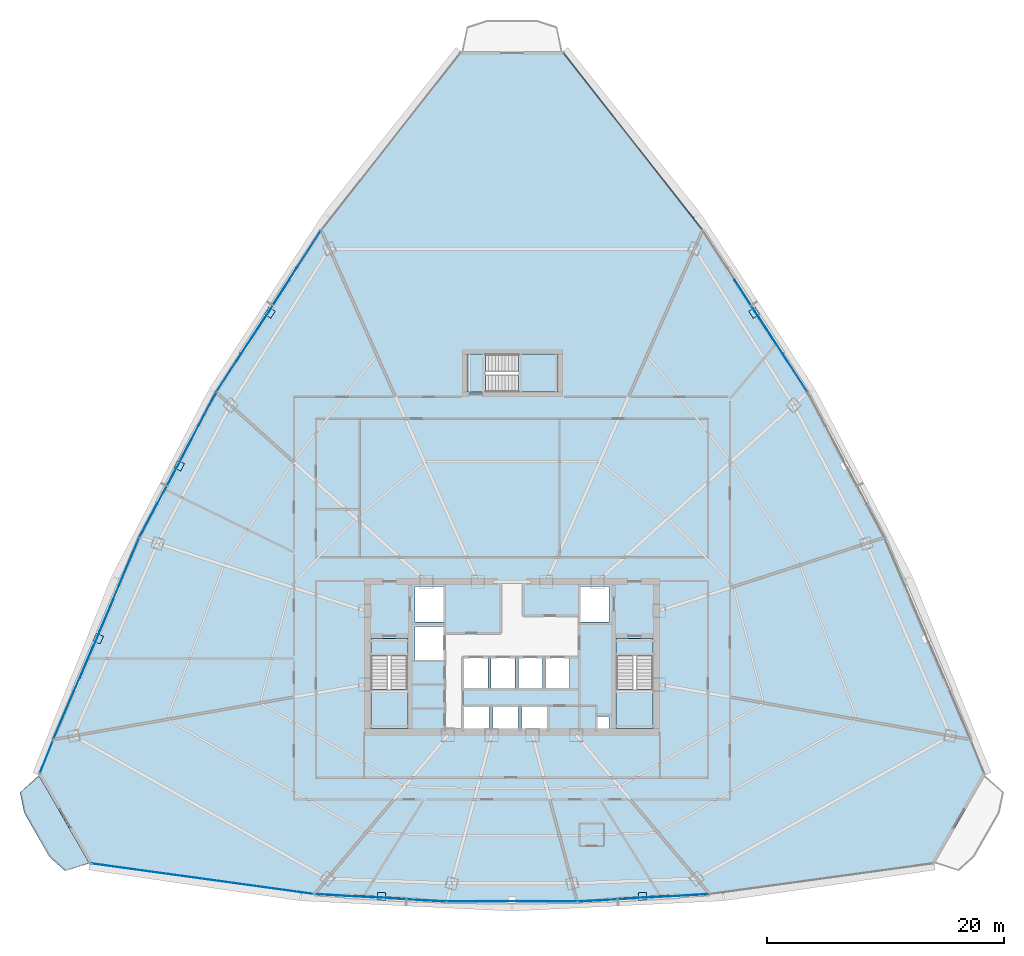
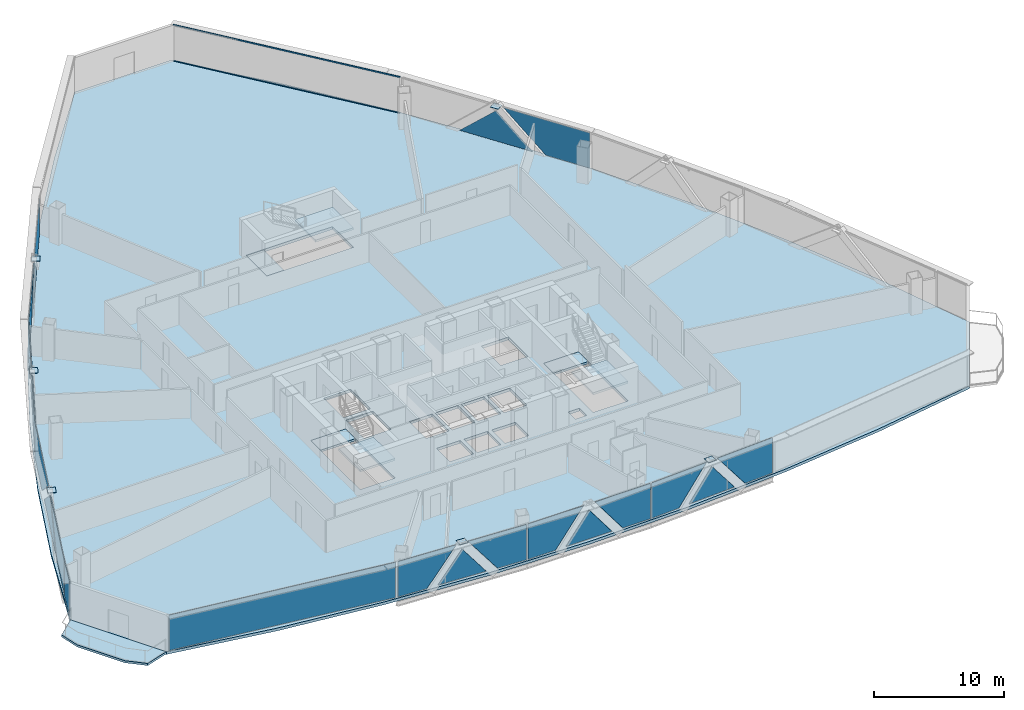
# One storey, part 30 of 39: 28 plates, 8 slabs, 2 members, 13 elements without a shape of their own.
"""IFC4 building model written with IfcOpenShell, lengths in metres."""

from ifc_helpers import new_model, si_unit, direction, frame, origin, origin_2d, place, context, subcontext, project, spatial, polyline, rectangle, hollow_rectangle, outline, extrude, source, transform, mapped, material, layer, layer_set, material_profile, profile_set, type_object, element, aggregate, save


model = new_model("IFC4")

# Units and contexts
model_context = context("Model", 3, precision=1e-05, world=origin(), true_north=direction((0.0, 1.0)))
body_context = subcontext(model_context, "Body", "Model", "MODEL_VIEW")
ifc_project = project(units=[si_unit("LENGTHUNIT", "METRE"), si_unit("AREAUNIT", "SQUARE_METRE"), si_unit("VOLUMEUNIT", "CUBIC_METRE"), si_unit("PLANEANGLEUNIT", "RADIAN"), si_unit("MASSUNIT", "GRAM", prefix="KILO"), si_unit("THERMODYNAMICTEMPERATUREUNIT", "KELVIN"), si_unit("POWERUNIT", "WATT")], contexts=[model_context])

# Site, building, storey
site_placement = place(None, origin())
site = spatial("IfcSite", under=ifc_project, at=site_placement, CompositionType="ELEMENT")
building_placement = place(site_placement, origin())
building = spatial("IfcBuilding", under=site, at=building_placement, Name="Yunzhuo Pagoda Commons", CompositionType="ELEMENT")
storey_placement = place(building_placement, frame((0.0, 0.0, 148.22998046875)))
storey = spatial("IfcBuildingStorey", under=building, at=storey_placement, Name="L37", CompositionType="ELEMENT", Elevation=148.22998046875)

# Curtain wall, members
ifc_material_1 = material(Name="Anodized aluminium 6063-T6", Category="aluminium")
ifc_layer_1 = layer(ifc_material_1, 0.14990234375)
ifc_layer_set_1 = layer_set([ifc_layer_1], Name="Anodized aluminium 6063-T6")
curtain_wall_type = type_object("IfcCurtainWallType", Name="CW-MID Mid-Zone Ribbon Curtain Wall", PredefinedType="NOTDEFINED", material=ifc_layer_set_1)
curtain_wall_1_placement = place(storey_placement, origin())
curtain_wall_1 = element("IfcCurtainWall", 1, at=curtain_wall_1_placement, inside=storey, type_object=curtain_wall_type, Name="L37 curtain wall CW-L37-F2B5", PredefinedType="NOTDEFINED")
ifc_material_profile = material_profile(ifc_material_1, hollow_rectangle(XDim=0.054931640625, YDim=0.1298828125, WallThickness=0.00341796875, at=origin_2d()), Name="Anodized aluminium 6063-T6")
ifc_profile_set = profile_set([ifc_material_profile], Name="Anodized aluminium 6063-T6")
member_type = type_object("IfcMemberType", Name="CW-MID-T Transom RHS 130x55x3.5", PredefinedType="USERDEFINED", material=ifc_profile_set)
shared_shape_1 = source(origin(), body_context, "Body", "SweptSolid", [
    extrude(hollow_rectangle(XDim=0.054931640625, YDim=0.1298828125, WallThickness=0.00341796875, at=origin_2d()), origin(), (0.0, 0.0, 1.0), 18.82861328125),
])
member_1_placement = place(storey_placement, frame((64.017578125, 69.96923828125, 0.027587890625), z_axis=(-0.617384524017, 0.786661521561, 0.0), x_axis=(-0.786661521561, -0.617384524017, 0.0)))
member_1 = element("IfcMember", 2, at=member_1_placement, type_object=member_type, Name="CW transom 1.1", ObjectType="TRANSOM", PredefinedType="USERDEFINED", context=body_context, shape_type="MappedRepresentation", body=[
    mapped(shared_shape_1, transform((0.0, 0.0, 0.0), scale=1.0)),
])
member_2_placement = place(storey_placement, frame((64.017578125, 69.96923828125, 3.392578125), z_axis=(-0.617384524017, 0.786661521561, 0.0), x_axis=(-0.786661521561, -0.617384524017, 0.0)))
member_2 = element("IfcMember", 3, at=member_2_placement, type_object=member_type, Name="CW transom 1.2", ObjectType="TRANSOM", PredefinedType="USERDEFINED", context=body_context, shape_type="MappedRepresentation", body=[
    mapped(shared_shape_1, transform((0.0, 0.0, 0.0), scale=1.0)),
])
aggregate(curtain_wall_1, [member_1, member_2])

# Curtain wall, plates
curtain_wall_2_placement = place(storey_placement, origin())
curtain_wall_2 = element("IfcCurtainWall", 4, at=curtain_wall_2_placement, inside=storey, type_object=curtain_wall_type, Name="L37 curtain wall CW-L37-F1B2", PredefinedType="NOTDEFINED")
ifc_material_2 = material(Name="Tempered low-e double glazing", Category="glass")
ifc_layer_2 = layer(ifc_material_2, 0.028076171875)
ifc_layer_set_2 = layer_set([ifc_layer_2], Name="Tempered low-e double glazing")
plate_type_1 = type_object("IfcPlateType", Name="CW-MID-P Low-E Double Glazing 28", PredefinedType="CURTAIN_PANEL", material=ifc_layer_set_2)
plate_1_placement = place(storey_placement, frame((33.882568359375, 13.683349609375, 1.7099609375), z_axis=(-0.056597401536, -0.998397082397, 0.0), x_axis=(0.998397082397, -0.056597401536, 0.0)))
plate_1 = element("IfcPlate", 5, at=plate_1_placement, type_object=plate_type_1, Name="CW panel 1.1 lite 1", PredefinedType="CURTAIN_PANEL", context=body_context, shape_type="SweptSolid", body=[
    extrude(outline(polyline([(-2.51171875, -1.655029296875), (-0.008056640625, -1.655029296875), (2.51171875, 1.655029296875), (-2.51171875, 1.655029296875), (-2.51171875, -1.655029296875)])), origin(), (0.0, 0.0, 1.0), 0.028076171875),
])
plate_2_placement = place(storey_placement, frame((36.91064453125, 13.541748046875, 1.423828125), z_axis=(-0.056597401536, -0.998397082397, 0.0), x_axis=(0.998397082397, -0.056597401536, 0.0)))
plate_2 = element("IfcPlate", 6, at=plate_2_placement, type_object=plate_type_1, Name="CW panel 1.1 lite 2", PredefinedType="CURTAIN_PANEL", context=body_context, shape_type="SweptSolid", body=[
    extrude(outline(polyline([(-2.083984375, -1.368896484375), (2.083984375, -1.368896484375), (0.0, 1.368896484375), (-2.083984375, -1.368896484375)])), origin(), (0.0, 0.0, 1.0), 0.028076171875),
])
plate_3_placement = place(storey_placement, frame((39.93505859375, 13.34033203125, 1.7099609375), z_axis=(-0.056597401536, -0.998397082397, 0.0), x_axis=(0.998397082397, -0.056597401536, 0.0)))
plate_3 = element("IfcPlate", 7, at=plate_3_placement, type_object=plate_type_1, Name="CW panel 1.1 lite 3", PredefinedType="CURTAIN_PANEL", context=body_context, shape_type="SweptSolid", body=[
    extrude(outline(polyline([(-2.51171875, 1.655029296875), (0.008056640625, -1.655029296875), (2.51171875, -1.655029296875), (2.51171875, 1.655029296875), (-2.51171875, 1.655029296875)])), origin(), (0.0, 0.0, 1.0), 0.028076171875),
])
aggregate(curtain_wall_2, [plate_1, plate_2, plate_3])

curtain_wall_3_placement = place(storey_placement, origin())
curtain_wall_3 = element("IfcCurtainWall", 8, at=curtain_wall_3_placement, inside=storey, type_object=curtain_wall_type, Name="L37 curtain wall CW-L37-F1B3", PredefinedType="NOTDEFINED")
plate_4_placement = place(storey_placement, frame((45.023193359375, 13.19482421875, 1.7099609375), z_axis=(0.0, -1.0, 0.0), x_axis=(1.0, 0.0, 0.0)))
plate_4 = element("IfcPlate", 9, at=plate_4_placement, type_object=plate_type_1, Name="CW panel 1.1 lite 1", PredefinedType="CURTAIN_PANEL", context=body_context, shape_type="SweptSolid", body=[
    extrude(outline(polyline([(-2.46142578125, -1.655029296875), (-0.01123046875, -1.655029296875), (2.461181640625, 1.655029296875), (-2.46142578125, 1.655029296875), (-2.46142578125, -1.655029296875)])), origin(), (0.0, 0.0, 1.0), 0.028076171875),
])
plate_5_placement = place(storey_placement, frame((48.0, 13.224609375, 1.419921875), z_axis=(0.0, -1.0, 0.0), x_axis=(1.0, 0.0, 0.0)))
plate_5 = element("IfcPlate", 10, at=plate_5_placement, type_object=plate_type_1, Name="CW panel 1.1 lite 2", PredefinedType="CURTAIN_PANEL", context=body_context, shape_type="SweptSolid", body=[
    extrude(outline(polyline([(-2.039306640625, -1.364990234375), (2.039306640625, -1.364990234375), (0.0, 1.364990234375), (-2.039306640625, -1.364990234375)])), origin(), (0.0, 0.0, 1.0), 0.028076171875),
])
plate_6_placement = place(storey_placement, frame((50.976806640625, 13.19482421875, 1.7099609375), z_axis=(0.0, -1.0, 0.0), x_axis=(1.0, 0.0, 0.0)))
plate_6 = element("IfcPlate", 11, at=plate_6_placement, type_object=plate_type_1, Name="CW panel 1.1 lite 3", PredefinedType="CURTAIN_PANEL", context=body_context, shape_type="SweptSolid", body=[
    extrude(outline(polyline([(-2.461181640625, 1.655029296875), (0.01123046875, -1.655029296875), (2.46142578125, -1.655029296875), (2.46142578125, 1.655029296875), (-2.461181640625, 1.655029296875)])), origin(), (0.0, 0.0, 1.0), 0.028076171875),
])
aggregate(curtain_wall_3, [plate_4, plate_5, plate_6])

curtain_wall_4_placement = place(storey_placement, origin())
curtain_wall_4 = element("IfcCurtainWall", 12, at=curtain_wall_4_placement, inside=storey, type_object=curtain_wall_type, Name="L37 curtain wall CW-L37-F1B4", PredefinedType="NOTDEFINED")
plate_7_placement = place(storey_placement, frame((56.06494140625, 13.340087890625, 1.7099609375), z_axis=(0.056597401536, -0.998397082397, 0.0), x_axis=(0.998397082397, 0.056597401536, 0.0)))
plate_7 = element("IfcPlate", 13, at=plate_7_placement, type_object=plate_type_1, Name="CW panel 1.1 lite 1", PredefinedType="CURTAIN_PANEL", context=body_context, shape_type="SweptSolid", body=[
    extrude(outline(polyline([(-2.51171875, -1.655029296875), (-0.008056640625, -1.655029296875), (2.51171875, 1.655029296875), (-2.51171875, 1.655029296875), (-2.51171875, -1.655029296875)])), origin(), (0.0, 0.0, 1.0), 0.028076171875),
])
plate_8_placement = place(storey_placement, frame((59.08935546875, 13.541748046875, 1.423828125), z_axis=(0.056597401536, -0.998397082397, 0.0), x_axis=(0.998397082397, 0.056597401536, 0.0)))
plate_8 = element("IfcPlate", 14, at=plate_8_placement, type_object=plate_type_1, Name="CW panel 1.1 lite 2", PredefinedType="CURTAIN_PANEL", context=body_context, shape_type="SweptSolid", body=[
    extrude(outline(polyline([(-2.083984375, -1.368896484375), (2.083984375, -1.368896484375), (0.0, 1.368896484375), (-2.083984375, -1.368896484375)])), origin(), (0.0, 0.0, 1.0), 0.028076171875),
])
plate_9_placement = place(storey_placement, frame((62.1171875, 13.68310546875, 1.7099609375), z_axis=(0.056597401536, -0.998397082397, 0.0), x_axis=(0.998397082397, 0.056597401536, 0.0)))
plate_9 = element("IfcPlate", 15, at=plate_9_placement, type_object=plate_type_1, Name="CW panel 1.1 lite 3", PredefinedType="CURTAIN_PANEL", context=body_context, shape_type="SweptSolid", body=[
    extrude(outline(polyline([(-2.51171875, 1.655029296875), (0.008056640625, -1.655029296875), (2.51171875, -1.655029296875), (2.51171875, 1.655029296875), (-2.51171875, 1.655029296875)])), origin(), (0.0, 0.0, 1.0), 0.028076171875),
])
aggregate(curtain_wall_4, [plate_7, plate_8, plate_9])

curtain_wall_5_placement = place(storey_placement, origin())
curtain_wall_5 = element("IfcCurtainWall", 16, at=curtain_wall_5_placement, inside=storey, type_object=curtain_wall_type, Name="L37 curtain wall CW-L37-F2B4", PredefinedType="NOTDEFINED")
plate_10_placement = place(storey_placement, frame((70.891357421875, 59.353515625, 1.7099609375), z_axis=(0.839320281383, 0.543637255216, 0.0), x_axis=(-0.543637255216, 0.839320281383, 0.0)))
plate_10 = element("IfcPlate", 17, at=plate_10_placement, type_object=plate_type_1, Name="CW panel 1.1 lite 1", PredefinedType="CURTAIN_PANEL", context=body_context, shape_type="SweptSolid", body=[
    extrude(outline(polyline([(-3.732177734375, -1.655029296875), (0.06591796875, -1.655029296875), (3.732177734375, 1.655029296875), (-3.732177734375, 1.655029296875), (-3.732177734375, -1.655029296875)])), origin(), (0.0, 0.0, 1.0), 0.028076171875),
])
plate_11_placement = place(storey_placement, frame((68.495849609375, 62.996826171875, 1.4814453125), z_axis=(0.839320281383, 0.543637255216, 0.0), x_axis=(-0.543637255216, 0.839320281383, 0.0)))
plate_11 = element("IfcPlate", 18, at=plate_11_placement, type_object=plate_type_1, Name="CW panel 1.1 lite 2", PredefinedType="CURTAIN_PANEL", context=body_context, shape_type="SweptSolid", body=[
    extrude(outline(polyline([(-3.16015625, -1.426513671875), (3.16015625, -1.426513671875), (0.0, 1.426513671875), (-3.16015625, -1.426513671875)])), origin(), (0.0, 0.0, 1.0), 0.028076171875),
])
aggregate(curtain_wall_5, [plate_10, plate_11])

curtain_wall_6_placement = place(storey_placement, origin())
curtain_wall_6 = element("IfcCurtainWall", 19, at=curtain_wall_6_placement, inside=storey, type_object=curtain_wall_type, Name="L37 curtain wall CW-L37-F3B2", PredefinedType="NOTDEFINED")
plate_12_placement = place(storey_placement, frame((29.84912109375, 66.6728515625, 1.7099609375), z_axis=(-0.839320281383, 0.543637255216, 0.0), x_axis=(-0.543637255216, -0.839320281383, 0.0)))
plate_12 = element("IfcPlate", 20, at=plate_12_placement, type_object=plate_type_1, Name="CW panel 1.1 lite 1", PredefinedType="CURTAIN_PANEL", context=body_context, shape_type="SweptSolid", body=[
    extrude(outline(polyline([(-3.732177734375, -1.655029296875), (0.06591796875, -1.655029296875), (3.732177734375, 1.655029296875), (-3.732177734375, 1.655029296875), (-3.732177734375, -1.655029296875)])), origin(), (0.0, 0.0, 1.0), 0.028076171875),
])
plate_13_placement = place(storey_placement, frame((27.504150390625, 62.996826171875, 1.4814453125), z_axis=(-0.839320281383, 0.543637255216, 0.0), x_axis=(-0.543637255216, -0.839320281383, 0.0)))
plate_13 = element("IfcPlate", 21, at=plate_13_placement, type_object=plate_type_1, Name="CW panel 1.1 lite 2", PredefinedType="CURTAIN_PANEL", context=body_context, shape_type="SweptSolid", body=[
    extrude(outline(polyline([(-3.16015625, -1.426513671875), (3.16015625, -1.426513671875), (0.0, 1.426513671875), (-3.16015625, -1.426513671875)])), origin(), (0.0, 0.0, 1.0), 0.028076171875),
])
plate_14_placement = place(storey_placement, frame((25.108642578125, 59.353515625, 1.7099609375), z_axis=(-0.839320281383, 0.543637255216, 0.0), x_axis=(-0.543637255216, -0.839320281383, 0.0)))
plate_14 = element("IfcPlate", 22, at=plate_14_placement, type_object=plate_type_1, Name="CW panel 1.1 lite 3", PredefinedType="CURTAIN_PANEL", context=body_context, shape_type="SweptSolid", body=[
    extrude(outline(polyline([(-3.732177734375, 1.655029296875), (-0.06591796875, -1.655029296875), (3.732177734375, -1.655029296875), (3.732177734375, 1.655029296875), (-3.732177734375, 1.655029296875)])), origin(), (0.0, 0.0, 1.0), 0.028076171875),
])
aggregate(curtain_wall_6, [plate_12, plate_13, plate_14])

curtain_wall_7_placement = place(storey_placement, origin())
curtain_wall_7 = element("IfcCurtainWall", 23, at=curtain_wall_7_placement, inside=storey, type_object=curtain_wall_type, Name="L37 curtain wall CW-L37-F3B3", PredefinedType="NOTDEFINED")
plate_15_placement = place(storey_placement, frame((21.546142578125, 53.334228515625, 1.7099609375), z_axis=(-0.883879096849, 0.467715449984, 0.0), x_axis=(-0.467715449984, -0.883879096849, 0.0)))
plate_15 = element("IfcPlate", 24, at=plate_15_placement, type_object=plate_type_1, Name="CW panel 1.1 lite 1", PredefinedType="CURTAIN_PANEL", context=body_context, shape_type="SweptSolid", body=[
    extrude(outline(polyline([(-3.150390625, -1.655029296875), (0.031494140625, -1.655029296875), (3.150390625, 1.655029296875), (-3.150390625, 1.655029296875), (-3.150390625, -1.655029296875)])), origin(), (0.0, 0.0, 1.0), 0.028076171875),
])
plate_16_placement = place(storey_placement, frame((19.830810546875, 50.0283203125, 1.46044921875), z_axis=(-0.883879096849, 0.467715449984, 0.0), x_axis=(-0.467715449984, -0.883879096849, 0.0)))
plate_16 = element("IfcPlate", 25, at=plate_16_placement, type_object=plate_type_1, Name="CW panel 1.1 lite 2", PredefinedType="CURTAIN_PANEL", context=body_context, shape_type="SweptSolid", body=[
    extrude(outline(polyline([(-2.6484375, -1.405517578125), (2.6484375, -1.405517578125), (0.0, 1.405517578125), (-2.6484375, -1.405517578125)])), origin(), (0.0, 0.0, 1.0), 0.028076171875),
])
plate_17_placement = place(storey_placement, frame((18.062255859375, 46.750244140625, 1.7099609375), z_axis=(-0.883879096849, 0.467715449984, 0.0), x_axis=(-0.467715449984, -0.883879096849, 0.0)))
plate_17 = element("IfcPlate", 26, at=plate_17_placement, type_object=plate_type_1, Name="CW panel 1.1 lite 3", PredefinedType="CURTAIN_PANEL", context=body_context, shape_type="SweptSolid", body=[
    extrude(outline(polyline([(-3.150390625, 1.655029296875), (-0.031494140625, -1.655029296875), (3.150390625, -1.655029296875), (3.150390625, 1.655029296875), (-3.150390625, 1.655029296875)])), origin(), (0.0, 0.0, 1.0), 0.028076171875),
])
aggregate(curtain_wall_7, [plate_15, plate_16, plate_17])

curtain_wall_8_placement = place(storey_placement, origin())
curtain_wall_8 = element("IfcCurtainWall", 27, at=curtain_wall_8_placement, inside=storey, type_object=curtain_wall_type, Name="L37 curtain wall CW-L37-F3B4", PredefinedType="NOTDEFINED")
plate_18_placement = place(storey_placement, frame((14.868408203125, 39.937744140625, 1.7099609375), z_axis=(-0.920072228059, 0.391748765351, 0.0), x_axis=(-0.391748765351, -0.920072228059, 0.0)))
plate_18 = element("IfcPlate", 28, at=plate_18_placement, type_object=plate_type_1, Name="CW panel 1.1 lite 1", PredefinedType="CURTAIN_PANEL", context=body_context, shape_type="SweptSolid", body=[
    extrude(outline(polyline([(-4.26123046875, -1.655029296875), (0.095703125, -1.655029296875), (4.26123046875, 1.655029296875), (-4.26123046875, 1.655029296875), (-4.26123046875, -1.655029296875)])), origin(), (0.0, 0.0, 1.0), 0.028076171875),
])
plate_19_placement = place(storey_placement, frame((12.960205078125, 35.379638671875, 1.494873046875), z_axis=(-0.920072228059, 0.391748765351, 0.0), x_axis=(-0.391748765351, -0.920072228059, 0.0)))
plate_19 = element("IfcPlate", 29, at=plate_19_placement, type_object=plate_type_1, Name="CW panel 1.1 lite 2", PredefinedType="CURTAIN_PANEL", context=body_context, shape_type="SweptSolid", body=[
    extrude(outline(polyline([(-3.6240234375, -1.439697265625), (3.6240234375, -1.439697265625), (0.0, 1.439697265625), (-3.6240234375, -1.439697265625)])), origin(), (0.0, 0.0, 1.0), 0.028076171875),
])
plate_20_placement = place(storey_placement, frame((10.996826171875, 30.844970703125, 1.7099609375), z_axis=(-0.920072228059, 0.391748765351, 0.0), x_axis=(-0.391748765351, -0.920072228059, 0.0)))
plate_20 = element("IfcPlate", 30, at=plate_20_placement, type_object=plate_type_1, Name="CW panel 1.1 lite 3", PredefinedType="CURTAIN_PANEL", context=body_context, shape_type="SweptSolid", body=[
    extrude(outline(polyline([(-4.261474609375, 1.655029296875), (-0.095703125, -1.655029296875), (4.261474609375, -1.655029296875), (4.261474609375, 1.655029296875), (-4.261474609375, 1.655029296875)])), origin(), (0.0, 0.0, 1.0), 0.028076171875),
])
aggregate(curtain_wall_8, [plate_18, plate_19, plate_20])

# Slab
ifc_material_3 = material(Name="Concrete C40", Category="concrete")
ifc_layer_3 = layer(ifc_material_3, 0.199951171875)
ifc_layer_set_3 = layer_set([ifc_layer_3], Name="Concrete C40")
slab_type_1 = type_object("IfcSlabType", Name="SL-BAL Vertex Balcony Deck Slab 200", PredefinedType="FLOOR", material=ifc_layer_set_3)
slab_1_placement = place(storey_placement, frame((0.0, 0.0, -0.199951171875)))
element("IfcSlab", 31, at=slab_1_placement, inside=storey, type_object=slab_type_1, Name="L37 corner balcony V1", PredefinedType="FLOOR", context=body_context, shape_type="SweptSolid", body=[
    extrude(outline(polyline([(8.0595703125, 23.840576171875), (12.320556640625, 16.419189453125), (10.279541015625, 15.766357421875), (8.96142578125, 16.95751953125), (6.830810546875, 20.668212890625), (6.466796875, 22.406982421875), (8.0595703125, 23.840576171875)])), origin(), (0.0, 0.0, 1.0), 0.199951171875),
])

# Stair, slabs
stair_type_1 = type_object("IfcStairType", Name="ST-C1 Core Smokeproof Stair ST1", PredefinedType="HALF_TURN_STAIR", material=ifc_material_3)
stair_1_placement = place(storey_placement, origin())
stair_1 = element("IfcStair", 32, at=stair_1_placement, inside=storey, type_object=stair_type_1, Name="L37 Core smokeproof stair ST1", PredefinedType="HALF_TURN_STAIR")
ifc_layer_4 = layer(ifc_material_3, 0.199951171875)
ifc_layer_set_4 = layer_set([ifc_layer_4], Name="Concrete C40")
slab_type_2 = type_object("IfcSlabType", Name="SL-LND1 Stair Landing Slab 200", PredefinedType="LANDING", material=ifc_layer_set_4)
slab_2_placement = place(storey_placement, frame((0.0, 0.0, 1.64013671875)))
slab_2 = element("IfcSlab", 33, at=slab_2_placement, type_object=slab_type_2, Name="ST1 landing 1", PredefinedType="LANDING", context=body_context, shape_type="SweptSolid", body=[
    extrude(outline(polyline([(36.10009765625, 31.10009765625), (36.10009765625, 27.800048828125), (39.199951171875, 27.800048828125), (39.199951171875, 31.10009765625), (36.10009765625, 31.10009765625)])), origin(), (0.0, 0.0, 1.0), 0.199951171875),
])
slab_3_placement = place(storey_placement, frame((0.0, 0.0, -0.199951171875)))
slab_3 = element("IfcSlab", 34, at=slab_3_placement, type_object=slab_type_2, Name="ST1 floor landing L37", PredefinedType="LANDING", context=body_context, shape_type="SweptSolid", body=[
    extrude(outline(polyline([(36.10009765625, 35.39990234375), (36.10009765625, 33.89990234375), (39.199951171875, 33.89990234375), (39.199951171875, 35.39990234375), (36.10009765625, 35.39990234375)])), origin(), (0.0, 0.0, 1.0), 0.199951171875),
])
aggregate(stair_1, [slab_2, slab_3])

stair_type_2 = type_object("IfcStairType", Name="ST-C2 Core Smokeproof Stair ST2", PredefinedType="HALF_TURN_STAIR", material=ifc_material_3)
stair_2_placement = place(storey_placement, origin())
stair_2 = element("IfcStair", 35, at=stair_2_placement, inside=storey, type_object=stair_type_2, Name="L37 Core smokeproof stair ST2", PredefinedType="HALF_TURN_STAIR")
ifc_layer_5 = layer(ifc_material_3, 0.201904296875)
ifc_layer_set_5 = layer_set([ifc_layer_5], Name="Concrete C40")
slab_type_3 = type_object("IfcSlabType", Name="SL-LND2 Stair Landing Slab 202", PredefinedType="LANDING", material=ifc_layer_set_5)
slab_4_placement = place(storey_placement, frame((0.0, 0.0, 1.64013671875)))
slab_4 = element("IfcSlab", 36, at=slab_4_placement, type_object=slab_type_3, Name="ST2 landing 1", PredefinedType="LANDING", context=body_context, shape_type="SweptSolid", body=[
    extrude(outline(polyline([(56.800048828125, 31.10009765625), (56.800048828125, 27.800048828125), (59.89990234375, 27.800048828125), (59.89990234375, 31.10009765625), (56.800048828125, 31.10009765625)])), origin(), (0.0, 0.0, 1.0), 0.199951171875),
])
slab_5_placement = place(storey_placement, frame((0.0, 0.0, -0.199951171875)))
slab_5 = element("IfcSlab", 37, at=slab_5_placement, type_object=slab_type_3, Name="ST2 floor landing L37", PredefinedType="LANDING", context=body_context, shape_type="SweptSolid", body=[
    extrude(outline(polyline([(56.800048828125, 35.39990234375), (56.800048828125, 33.89990234375), (59.89990234375, 33.89990234375), (59.89990234375, 35.39990234375), (56.800048828125, 35.39990234375)])), origin(), (0.0, 0.0, 1.0), 0.199951171875),
])
aggregate(stair_2, [slab_4, slab_5])

stair_type_3 = type_object("IfcStairType", Name="ST-C3 North Tower Smokeproof Stair ST3", PredefinedType="HALF_TURN_STAIR", material=ifc_material_3)
stair_3_placement = place(storey_placement, origin())
stair_3 = element("IfcStair", 38, at=stair_3_placement, inside=storey, type_object=stair_type_3, Name="L37 North tower smokeproof stair ST3", PredefinedType="HALF_TURN_STAIR")
ifc_layer_6 = layer(ifc_material_3, 0.2041015625)
ifc_layer_set_6 = layer_set([ifc_layer_6], Name="Concrete C40")
slab_type_4 = type_object("IfcSlabType", Name="SL-LND5 North Landing Slab 204", PredefinedType="LANDING", material=ifc_layer_set_6)
slab_6_placement = place(storey_placement, frame((0.0, 0.0, 1.64013671875)))
slab_6 = element("IfcSlab", 39, at=slab_6_placement, type_object=slab_type_4, Name="ST3 landing 1", PredefinedType="LANDING", context=body_context, shape_type="SweptSolid", body=[
    extrude(outline(polyline([(48.550048828125, 56.199951171875), (51.89990234375, 56.199951171875), (51.89990234375, 59.39990234375), (48.550048828125, 59.39990234375), (48.550048828125, 56.199951171875)])), origin(), (0.0, 0.0, 1.0), 0.199951171875),
])
slab_7_placement = place(storey_placement, frame((0.0, 0.0, -0.199951171875)))
slab_7 = element("IfcSlab", 40, at=slab_7_placement, type_object=slab_type_4, Name="ST3 floor landing L37", PredefinedType="LANDING", context=body_context, shape_type="SweptSolid", body=[
    extrude(outline(polyline([(44.199951171875, 56.199951171875), (45.75, 56.199951171875), (45.75, 59.39990234375), (44.199951171875, 59.39990234375), (44.199951171875, 56.199951171875)])), origin(), (0.0, 0.0, 1.0), 0.199951171875),
])
aggregate(stair_3, [slab_6, slab_7])

# Slab
ifc_layer_7 = layer(ifc_material_3, 0.260009765625)
ifc_layer_set_7 = layer_set([ifc_layer_7], Name="Concrete C40")
slab_type_5 = type_object("IfcSlabType", Name="SL-TWR Typical Tower Floor Slab 260", PredefinedType="FLOOR", material=ifc_layer_set_7)
slab_8_placement = place(storey_placement, frame((0.0, 0.0, -0.260009765625)))
element("IfcSlab", 41, at=slab_8_placement, inside=storey, type_object=slab_type_5, Name="L37 structural floor slab", PredefinedType="FLOOR", context=body_context, shape_type="SweptSolid", body=[
    extrude(outline(polyline([(11.211181640625, 32.248291015625), (14.733642578125, 40.4345703125), (18.630859375, 48.402099609375), (22.90283203125, 56.15087890625), (27.549560546875, 63.680908203125), (32.5712890625, 70.9921875), (37.9677734375, 78.084716796875), (43.739013671875, 84.958251953125), (52.260986328125, 84.958251953125), (58.0322265625, 78.084716796875), (63.4287109375, 70.9921875), (68.450439453125, 63.680908203125), (73.09716796875, 56.15087890625), (77.369140625, 48.402099609375), (81.266357421875, 40.4345703125), (84.788818359375, 32.248291015625), (87.936279296875, 23.843017578125), (83.67529296875, 16.421630859375), (74.75634765625, 14.902587890625), (65.837646484375, 13.817626953125), (56.918701171875, 13.166748046875), (48.0, 12.94970703125), (39.081298828125, 13.166748046875), (30.162353515625, 13.817626953125), (21.24365234375, 14.902587890625), (12.32470703125, 16.421630859375), (8.063720703125, 23.843017578125), (11.211181640625, 32.248291015625)]), holes=[polyline([(46.050048828125, 29.64990234375), (43.949951171875, 29.64990234375), (43.949951171875, 27.60009765625), (46.050048828125, 27.60009765625), (46.050048828125, 29.64990234375)]), polyline([(48.5, 27.60009765625), (48.5, 29.64990234375), (46.39990234375, 29.64990234375), (46.39990234375, 27.60009765625), (48.5, 27.60009765625)]), polyline([(36.10009765625, 27.800048828125), (39.199951171875, 27.800048828125), (39.199951171875, 35.39990234375), (36.10009765625, 35.39990234375), (36.10009765625, 27.800048828125)]), polyline([(45.969970703125, 31.199951171875), (45.969970703125, 33.800048828125), (43.929931640625, 33.800048828125), (43.929931640625, 31.199951171875), (45.969970703125, 31.199951171875)]), polyline([(48.27001953125, 31.199951171875), (48.27001953125, 33.800048828125), (46.22998046875, 33.800048828125), (46.22998046875, 31.199951171875), (48.27001953125, 31.199951171875)]), polyline([(42.199951171875, 33.60009765625), (42.199951171875, 36.39990234375), (39.800048828125, 36.39990234375), (39.800048828125, 33.60009765625), (42.199951171875, 33.60009765625)]), polyline([(42.199951171875, 36.800048828125), (42.199951171875, 39.800048828125), (39.800048828125, 39.800048828125), (39.800048828125, 36.800048828125), (42.199951171875, 36.800048828125)]), polyline([(56.179931640625, 28.800048828125), (55.179931640625, 28.800048828125), (55.179931640625, 27.699951171875), (56.179931640625, 27.699951171875), (56.179931640625, 28.800048828125)]), polyline([(50.949951171875, 27.60009765625), (50.949951171875, 29.64990234375), (48.85009765625, 29.64990234375), (48.85009765625, 27.60009765625), (50.949951171875, 27.60009765625)]), polyline([(56.800048828125, 27.800048828125), (59.89990234375, 27.800048828125), (59.89990234375, 35.39990234375), (56.800048828125, 35.39990234375), (56.800048828125, 27.800048828125)]), polyline([(50.570068359375, 31.199951171875), (50.570068359375, 33.800048828125), (48.530029296875, 33.800048828125), (48.530029296875, 31.199951171875), (50.570068359375, 31.199951171875)]), polyline([(52.8701171875, 31.199951171875), (52.8701171875, 33.800048828125), (50.830078125, 33.800048828125), (50.830078125, 31.199951171875), (52.8701171875, 31.199951171875)]), polyline([(56.199951171875, 36.800048828125), (56.199951171875, 39.800048828125), (53.800048828125, 39.800048828125), (53.800048828125, 36.800048828125), (56.199951171875, 36.800048828125)]), polyline([(51.89990234375, 56.199951171875), (51.89990234375, 59.39990234375), (44.199951171875, 59.39990234375), (44.199951171875, 56.199951171875), (51.89990234375, 56.199951171875)])]), origin(), (0.0, 0.0, 1.0), 0.260009765625),
])

# Plates
ifc_material_4 = material(Name="Structural steel Q355B", Category="steel")
ifc_layer_8 = layer(ifc_material_4, 0.028076171875)
ifc_layer_set_8 = layer_set([ifc_layer_8], Name="Structural steel Q355B")
plate_type_2 = type_object("IfcPlateType", Name="SP-ND1 Lattice Node Cap Plate 800x500x28", PredefinedType="USERDEFINED", material=ifc_layer_set_8)
shared_shape_2 = source(origin(), body_context, "Body", "SweptSolid", [
    extrude(rectangle(XDim=0.699951171875, YDim=0.654296875, at=origin_2d()), origin(), (0.0, 0.0, 1.0), 0.035888671875),
])
plate_21_placement = place(storey_placement, frame((13.071533203125, 35.39013671875, 3.3818359375), z_axis=(0.0, 0.0, 1.0), x_axis=(-0.391743040033, -0.920074665767, 0.0)))
element("IfcPlate", 42, at=plate_21_placement, inside=storey, type_object=plate_type_2, Name="L37 setback lattice tie plate F3.3L", ObjectType="STIFFENER_PLATE", PredefinedType="USERDEFINED", context=body_context, shape_type="MappedRepresentation", body=[
    mapped(shared_shape_2, transform((0.0, 0.0, 0.0), scale=1.0)),
])
shared_shape_3 = source(origin(), body_context, "Body", "SweptSolid", [
    extrude(rectangle(XDim=0.699951171875, YDim=0.6259765625, at=origin_2d()), origin(), (0.0, 0.0, 1.0), 0.035888671875),
])
plate_22_placement = place(storey_placement, frame((19.911376953125, 49.97998046875, 3.3818359375), z_axis=(0.0, 0.0, 1.0), x_axis=(-0.467713855613, -0.883879940528, 0.0)))
element("IfcPlate", 43, at=plate_22_placement, inside=storey, type_object=plate_type_2, Name="L37 setback lattice tie plate F3.2L", ObjectType="STIFFENER_PLATE", PredefinedType="USERDEFINED", context=body_context, shape_type="MappedRepresentation", body=[
    mapped(shared_shape_3, transform((0.0, 0.0, 0.0), scale=1.0)),
])
shared_shape_4 = source(origin(), body_context, "Body", "SweptSolid", [
    extrude(rectangle(XDim=0.699951171875, YDim=0.648681640625, at=origin_2d()), origin(), (0.0, 0.0, 1.0), 0.035888671875),
])
for number, where, z_axis, x_axis, name in (
    (44, (68.447021484375, 62.8984375, 3.3818359375), (0.0, 0.0, 1.0), (-0.543643297406, 0.839316367758, 0.0), "L37 setback lattice tie plate F2.3L"),
    (45, (27.552978515625, 62.8984375, 3.3818359375), (0.0, 0.0, 1.0), (-0.543643297406, -0.839316367758, 0.0), "L37 setback lattice tie plate F3.1L"),
):
    element("IfcPlate", number, at=place(storey_placement, frame(where, z_axis=z_axis, x_axis=x_axis)), inside=storey, type_object=plate_type_2, Name=name, ObjectType="STIFFENER_PLATE", PredefinedType="USERDEFINED", context=body_context, shape_type="MappedRepresentation", body=[
        mapped(shared_shape_4, transform((0.0, 0.0, 0.0), scale=1.0)),
    ])
shared_shape_5 = source(origin(), body_context, "Body", "SweptSolid", [
    extrude(rectangle(XDim=0.699951171875, YDim=0.644775390625, at=origin_2d()), origin(), (0.0, 0.0, 1.0), 0.035888671875),
])
for number, where, z_axis, x_axis, name in (
    (46, (36.97900390625, 13.626953125, 3.3818359375), (0.0, 0.0, 1.0), (0.998396614135, -0.056605661238, 0.0), "L37 setback lattice tie plate F1.1L"),
    (47, (59.02099609375, 13.626953125, 3.3818359375), (0.0, 0.0, 1.0), (0.998396614135, 0.056605661238, 0.0), "L37 setback lattice tie plate F1.3L"),
):
    element("IfcPlate", number, at=place(storey_placement, frame(where, z_axis=z_axis, x_axis=x_axis)), inside=storey, type_object=plate_type_2, Name=name, ObjectType="STIFFENER_PLATE", PredefinedType="USERDEFINED", context=body_context, shape_type="MappedRepresentation", body=[
        mapped(shared_shape_5, transform((0.0, 0.0, 0.0), scale=1.0)),
    ])

# Curtain wall, plate
curtain_wall_9_placement = place(storey_placement, origin())
curtain_wall_9 = element("IfcCurtainWall", 48, at=curtain_wall_9_placement, inside=storey, type_object=curtain_wall_type, Name="L37 curtain wall CW-L37-F1B1", PredefinedType="NOTDEFINED")
shared_shape_6 = source(origin(), body_context, "Body", "SweptSolid", [
    extrude(rectangle(XDim=18.811767578125, YDim=0.028076171875, at=origin_2d()), origin(), (0.0, 0.0, 1.0), 3.31005859375),
])
plate_23_placement = place(storey_placement, frame((21.862548828125, 15.114501953125, 0.054931640625), z_axis=(0.0, 0.0, 1.0), x_axis=(0.990678510165, -0.136220738131, 0.0)))
plate_23 = element("IfcPlate", 49, at=plate_23_placement, type_object=plate_type_1, Name="CW panel 1.1", PredefinedType="CURTAIN_PANEL", context=body_context, shape_type="MappedRepresentation", body=[
    mapped(shared_shape_6, transform((0.0, 0.0, 0.0), scale=1.0)),
])
aggregate(curtain_wall_9, [plate_23])

curtain_wall_10_placement = place(storey_placement, origin())
curtain_wall_10 = element("IfcCurtainWall", 50, at=curtain_wall_10_placement, inside=storey, type_object=curtain_wall_type, Name="L37 curtain wall CW-L37-F3B5", PredefinedType="NOTDEFINED")
shared_shape_7 = source(origin(), body_context, "Body", "SweptSolid", [
    extrude(rectangle(XDim=2.91455078125, YDim=0.028076171875, at=origin_2d()), origin(), (0.0, 0.0, 1.0), 3.31005859375),
])
plate_24_placement = place(storey_placement, frame((8.696044921875, 25.3974609375, 0.054931640625), z_axis=(0.0, 0.0, 1.0), x_axis=(-0.373616750166, -0.927583162846, 0.0)))
plate_24 = element("IfcPlate", 51, at=plate_24_placement, type_object=plate_type_1, Name="CW panel 1.1", PredefinedType="CURTAIN_PANEL", context=body_context, shape_type="MappedRepresentation", body=[
    mapped(shared_shape_7, transform((0.0, 0.0, 0.0), scale=1.0)),
])
aggregate(curtain_wall_10, [plate_24])

save(model, "model.ifc")
